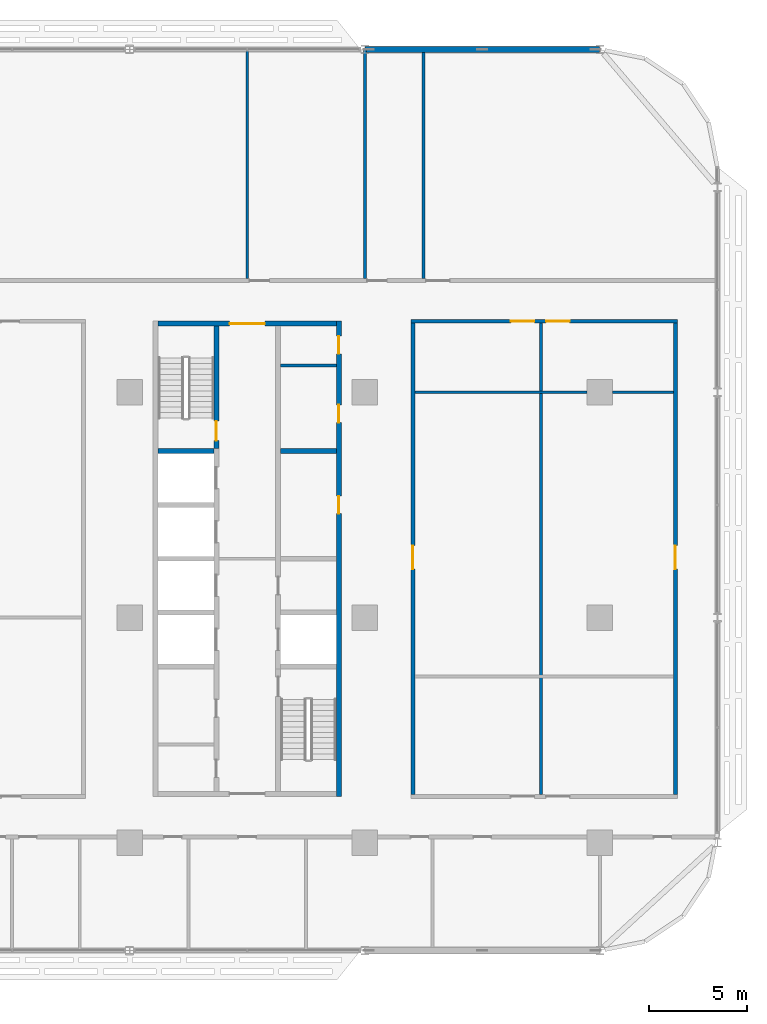
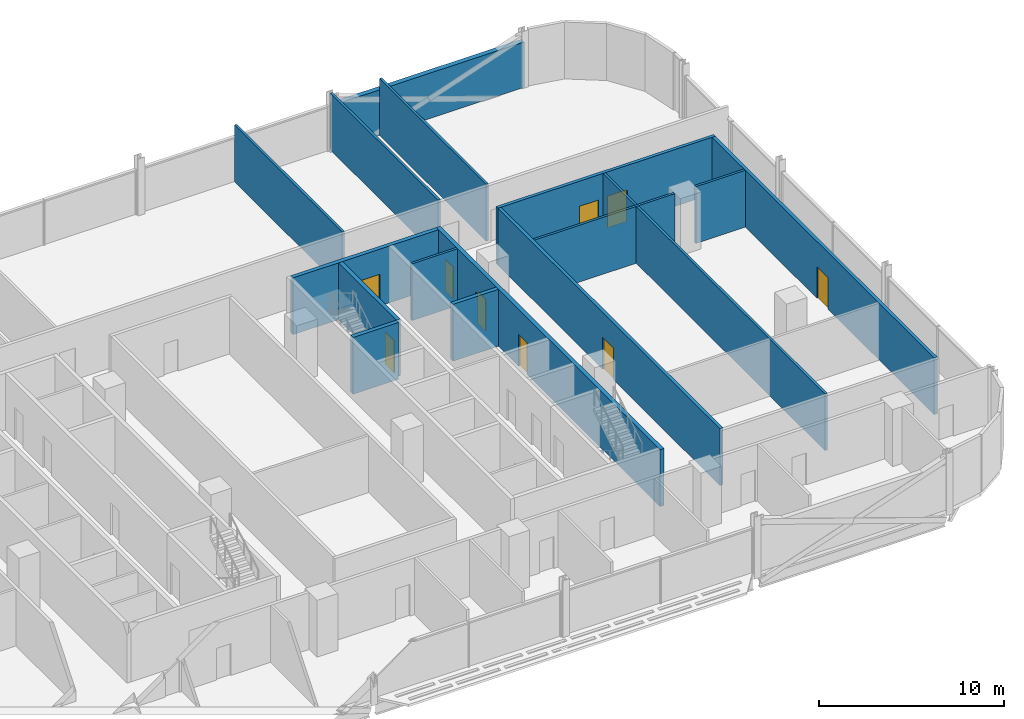
# One storey, part 18 of 29: 16 walls, 9 doors, 9 openings.
"""IFC4 building model written with IfcOpenShell, lengths in metres."""

from ifc_helpers import new_model, si_unit, direction, frame, frame_2d, origin, place, context, subcontext, project, spatial, rectangle, extrude, material, layer, layer_set, type_object, element, fill, save


model = new_model("IFC4")

# Units and contexts
model_context = context("Model", 3, precision=1e-05, world=origin(), true_north=direction((0.0, 1.0)))
body_context = subcontext(model_context, "Body", "Model", "MODEL_VIEW")
ifc_project = project(units=[si_unit("LENGTHUNIT", "METRE"), si_unit("AREAUNIT", "SQUARE_METRE"), si_unit("VOLUMEUNIT", "CUBIC_METRE"), si_unit("PLANEANGLEUNIT", "RADIAN"), si_unit("MASSUNIT", "GRAM", prefix="KILO")], contexts=[model_context])

# Site, building, storey
site_placement = place(None, origin())
site = spatial("IfcSite", under=ifc_project, at=site_placement, CompositionType="ELEMENT")
building_placement = place(site_placement, origin())
building = spatial("IfcBuilding", under=site, at=building_placement, Name="Mahtab Terrace Research Tower", CompositionType="ELEMENT")
storey_placement = place(building_placement, frame((0.0, 0.0, 146.60009765625)))
storey = spatial("IfcBuildingStorey", under=building, at=storey_placement, Name="L34", CompositionType="ELEMENT", Elevation=146.60009765625)

# Wall
ifc_material_1 = material(Name="Gypsum board partition")
ifc_layer_1 = layer(ifc_material_1, 0.14990234375)
ifc_layer_set_1 = layer_set([ifc_layer_1], Name="Core partition 150")
wall_type_1 = type_object("IfcWallType", Name="Core partition 150", PredefinedType="PARTITIONING", material=ifc_layer_set_1)
wall_1_placement = place(storey_placement, frame((25.699951171875, 12.875, 0.0), z_axis=(0.0, 0.0, 1.0), x_axis=(1.0, 0.0, 0.0)))
element("IfcWall", 1, at=wall_1_placement, inside=storey, type_object=wall_type_1, Name="Core wall C pEN988", PredefinedType="PARTITIONING", context=body_context, shape_type="SweptSolid", body=[
    extrude(rectangle(XDim=2.85009765625, YDim=0.14990234375, at=frame_2d((1.425048828125, 0.0))), origin(), (0.0, 0.0, 1.0), 3.760009765625),
])

# Wall, openings, doors
ifc_material_2 = material(Name="Concrete C70/85", Category="concrete")
ifc_layer_2 = layer(ifc_material_2, 0.25)
ifc_layer_set_2 = layer_set([ifc_layer_2], Name="Core wall 250")
wall_type_2 = type_object("IfcWallType", Name="Core wall 250", PredefinedType="SOLIDWALL", material=ifc_layer_set_2)
wall_2_placement = place(storey_placement, frame((28.675048828125, -9.125, 0.0), z_axis=(0.0, 0.0, 1.0), x_axis=(0.0, 1.0, 0.0)))
wall_2 = element("IfcWall", 2, at=wall_2_placement, inside=storey, type_object=wall_type_2, Name="Core wall C outerE", PredefinedType="SOLIDWALL", context=body_context, shape_type="SweptSolid", body=[
    extrude(rectangle(XDim=24.25, YDim=0.25, at=frame_2d((12.125, 0.0))), origin(), (0.0, 0.0, 1.0), 3.760009765625),
])
opening_1_placement = place(wall_2_placement, frame((14.425048828125, 0.0, 0.0)))
opening_1 = element("IfcOpeningElement", 3, at=opening_1_placement, cuts=wall_2, Name="Opening C-R2", PredefinedType="OPENING", context=body_context, shape_type="SweptSolid", body=[
    extrude(rectangle(XDim=0.89990234375, YDim=2.10009765625, at=frame_2d((0.449951171875, 1.050048828125))), frame((0.0, 0.135009765625, 0.0), z_axis=(0.0, -1.0, 0.0), x_axis=(1.0, 0.0, 0.0)), (0.0, 0.0, 1.0), 0.27001953125),
])
opening_2_placement = place(wall_2_placement, frame((19.074951171875, 0.0, 0.0)))
opening_2 = element("IfcOpeningElement", 4, at=opening_2_placement, cuts=wall_2, Name="Opening C-R5", PredefinedType="OPENING", context=body_context, shape_type="SweptSolid", body=[
    extrude(rectangle(XDim=0.89990234375, YDim=2.10009765625, at=frame_2d((0.449951171875, 1.050048828125))), frame((0.0, 0.135009765625, 0.0), z_axis=(0.0, -1.0, 0.0), x_axis=(1.0, 0.0, 0.0)), (0.0, 0.0, 1.0), 0.27001953125),
])
opening_3_placement = place(wall_2_placement, frame((22.58740234375, 0.0, 0.0)))
opening_3 = element("IfcOpeningElement", 5, at=opening_3_placement, cuts=wall_2, Name="Opening C-R6", PredefinedType="OPENING", context=body_context, shape_type="SweptSolid", body=[
    extrude(rectangle(XDim=0.89990234375, YDim=2.10009765625, at=frame_2d((0.449951171875, 1.050048828125))), frame((0.0, 0.135009765625, 0.0), z_axis=(0.0, -1.0, 0.0), x_axis=(1.0, 0.0, 0.0)), (0.0, 0.0, 1.0), 0.27001953125),
])
ifc_material_3 = material(Name="Steel fire door", Category="steel")
door_type_1 = type_object("IfcDoorType", Name="Room door 900x2100 1 HR", OperationType="NOTDEFINED", PredefinedType="DOOR", material=ifc_material_3)
door_1_placement = place(opening_1_placement, origin())
door_1 = element("IfcDoor", 6, at=door_1_placement, inside=storey, type_object=door_type_1, Name="Plant room door", OperationType="SINGLE_SWING_RIGHT", OverallHeight=2.10009765625, OverallWidth=0.89990234375, PredefinedType="DOOR", context=body_context, shape_type="SweptSolid", body=[
    extrude(rectangle(XDim=0.89990234375, YDim=2.10009765625, at=frame_2d((0.449951171875, 1.050048828125))), frame((0.0, 0.02490234375, 0.0), z_axis=(0.0, -1.0, 0.0), x_axis=(1.0, 0.0, 0.0)), (0.0, 0.0, 1.0), 0.050048828125),
])
fill(opening_1, door_1)
door_2_placement = place(opening_2_placement, origin())
door_2 = element("IfcDoor", 7, at=door_2_placement, inside=storey, type_object=door_type_1, Name="IT equipment room door", OperationType="SINGLE_SWING_LEFT", OverallHeight=2.10009765625, OverallWidth=0.89990234375, PredefinedType="DOOR", context=body_context, shape_type="SweptSolid", body=[
    extrude(rectangle(XDim=0.89990234375, YDim=2.10009765625, at=frame_2d((0.449951171875, 1.050048828125))), frame((0.0, 0.02490234375, 0.0), z_axis=(0.0, -1.0, 0.0), x_axis=(1.0, 0.0, 0.0)), (0.0, 0.0, 1.0), 0.050048828125),
])
fill(opening_2, door_2)
door_3_placement = place(opening_3_placement, origin())
door_3 = element("IfcDoor", 8, at=door_3_placement, inside=storey, type_object=door_type_1, Name="Electrical riser room door", OperationType="SINGLE_SWING_RIGHT", OverallHeight=2.10009765625, OverallWidth=0.89990234375, PredefinedType="DOOR", context=body_context, shape_type="SweptSolid", body=[
    extrude(rectangle(XDim=0.89990234375, YDim=2.10009765625, at=frame_2d((0.449951171875, 1.050048828125))), frame((0.0, 0.02490234375, 0.0), z_axis=(0.0, -1.0, 0.0), x_axis=(1.0, 0.0, 0.0)), (0.0, 0.0, 1.0), 0.050048828125),
])
fill(opening_3, door_3)

# Wall, opening, door
wall_3_placement = place(storey_placement, frame((19.449951171875, 15.0, 0.0), z_axis=(0.0, 0.0, 1.0), x_axis=(1.0, 0.0, 0.0)))
wall_3 = element("IfcWall", 9, at=wall_3_placement, inside=storey, type_object=wall_type_2, Name="Core wall C endN", PredefinedType="SOLIDWALL", context=body_context, shape_type="SweptSolid", body=[
    extrude(rectangle(XDim=9.10009765625, YDim=0.25, at=frame_2d((4.550048828125, 0.0))), origin(), (0.0, 0.0, 1.0), 3.760009765625),
])
opening_4_placement = place(wall_3_placement, frame((3.64990234375, 0.0, 0.0)))
opening_4 = element("IfcOpeningElement", 10, at=opening_4_placement, cuts=wall_3, Name="Opening C-N1", PredefinedType="OPENING", context=body_context, shape_type="SweptSolid", body=[
    extrude(rectangle(XDim=1.800048828125, YDim=2.10009765625, at=frame_2d((0.89990234375, 1.050048828125))), frame((0.0, 0.135009765625, 0.0), z_axis=(0.0, -1.0, 0.0), x_axis=(1.0, 0.0, 0.0)), (0.0, 0.0, 1.0), 0.27001953125),
])
door_type_2 = type_object("IfcDoorType", Name="Lobby double door 1800x2100 1 HR", OperationType="DOUBLE_DOOR_SINGLE_SWING", PredefinedType="DOOR", material=ifc_material_3)
door_4_placement = place(opening_4_placement, origin())
door_4 = element("IfcDoor", 11, at=door_4_placement, inside=storey, type_object=door_type_2, Name="Core entrance door C N", OperationType="DOUBLE_DOOR_SINGLE_SWING", OverallHeight=2.10009765625, OverallWidth=1.800048828125, PredefinedType="DOOR", context=body_context, shape_type="SweptSolid", body=[
    extrude(rectangle(XDim=1.800048828125, YDim=2.10009765625, at=frame_2d((0.89990234375, 1.050048828125))), frame((0.0, 0.02490234375, 0.0), z_axis=(0.0, -1.0, 0.0), x_axis=(1.0, 0.0, 0.0)), (0.0, 0.0, 1.0), 0.050048828125),
])
fill(opening_4, door_4)

wall_4_placement = place(storey_placement, frame((22.425048828125, 14.875, 0.0), z_axis=(0.0, 0.0, 1.0), x_axis=(0.0, -1.0, 0.0)))
wall_4 = element("IfcWall", 12, at=wall_4_placement, inside=storey, type_object=wall_type_2, Name="Core wall C innerWN", PredefinedType="SOLIDWALL", context=body_context, shape_type="SweptSolid", body=[
    extrude(rectangle(XDim=6.25, YDim=0.25, at=frame_2d((3.125, 0.0))), origin(), (0.0, 0.0, 1.0), 3.760009765625),
])
opening_5_placement = place(wall_4_placement, frame((4.85009765625, 0.0, 0.0)))
opening_5 = element("IfcOpeningElement", 13, at=opening_5_placement, cuts=wall_4, Name="Opening C-ST3", PredefinedType="OPENING", context=body_context, shape_type="SweptSolid", body=[
    extrude(rectangle(XDim=1.0, YDim=2.10009765625, at=frame_2d((0.5, 1.050048828125))), frame((0.0, 0.135009765625, 0.0), z_axis=(0.0, -1.0, 0.0), x_axis=(1.0, 0.0, 0.0)), (0.0, 0.0, 1.0), 0.27001953125),
])
door_type_3 = type_object("IfcDoorType", Name="Stair door 1000x2100 1.5 HR", OperationType="NOTDEFINED", PredefinedType="DOOR", material=ifc_material_3)
door_5_placement = place(opening_5_placement, origin())
door_5 = element("IfcDoor", 14, at=door_5_placement, inside=storey, type_object=door_type_3, Name="Stair door ST3 L34", OperationType="SINGLE_SWING_LEFT", OverallHeight=2.10009765625, OverallWidth=1.0, PredefinedType="DOOR", context=body_context, shape_type="SweptSolid", body=[
    extrude(rectangle(XDim=1.0, YDim=2.10009765625, at=frame_2d((0.5, 1.050048828125))), frame((0.0, 0.02490234375, 0.0), z_axis=(0.0, -1.0, 0.0), x_axis=(1.0, 0.0, 0.0)), (0.0, 0.0, 1.0), 0.050048828125),
])
fill(opening_5, door_5)

# Walls
for number, where, z_axis, x_axis, name in (
    (15, (19.449951171875, 8.5, 0.0), (0.0, 0.0, 1.0), (1.0, 0.0, 0.0), "Core wall C divW4"),
    (16, (25.699951171875, 8.5, 0.0), (0.0, 0.0, 1.0), (1.0, 0.0, 0.0), "Core wall C divE4"),
):
    element("IfcWall", number, at=place(storey_placement, frame(where, z_axis=z_axis, x_axis=x_axis)), inside=storey, type_object=wall_type_2, Name=name, PredefinedType="SOLIDWALL", context=body_context, shape_type="SweptSolid", body=[
        extrude(rectangle(XDim=2.85009765625, YDim=0.25, at=frame_2d((1.425048828125, 0.0))), origin(), (0.0, 0.0, 1.0), 3.760009765625),
    ])
ifc_material_4 = material(Name="Black aluminium cladding panel", Category="aluminium")
ifc_layer_3 = layer(ifc_material_4, 0.300048828125)
ifc_layer_set_3 = layer_set([ifc_layer_3], Name="Opaque facade wall 300")
wall_type_3 = type_object("IfcWallType", Name="Opaque facade wall 300", PredefinedType="NOTDEFINED", material=ifc_layer_set_3)
wall_5_placement = place(storey_placement, frame((41.982177734375, 29.0, 0.0), z_axis=(0.0, 0.0, 1.0), x_axis=(-1.0, 0.0, 0.0)))
element("IfcWall", 17, at=wall_5_placement, inside=storey, type_object=wall_type_3, Name="Opaque facade wall L34 N3", PredefinedType="NOTDEFINED", context=body_context, shape_type="SweptSolid", body=[
    extrude(rectangle(XDim=11.96435546875, YDim=0.300048828125, at=frame_2d((5.982177734375, 0.0))), origin(), (0.0, 0.0, 1.0), 3.0029296875),
])

# Wall, openings, doors
ifc_material_5 = material(Name="Gypsum board corridor wall on steel studs", Category="steel")
ifc_layer_4 = layer(ifc_material_5, 0.199951171875)
ifc_layer_set_4 = layer_set([ifc_layer_4], Name="WALL CORRIDOR 200")
wall_type_4 = type_object("IfcWallType", Name="WALL CORRIDOR 200", PredefinedType="PARTITIONING", material=ifc_layer_set_4)
wall_6_placement = place(storey_placement, frame((32.35009765625, 15.125, 0.0), z_axis=(0.0, 0.0, 1.0), x_axis=(1.0, 0.0, 0.0)))
wall_6 = element("IfcWall", 18, at=wall_6_placement, inside=storey, type_object=wall_type_4, Name="L34-W025", PredefinedType="PARTITIONING", context=body_context, shape_type="SweptSolid", body=[
    extrude(rectangle(XDim=13.599853515625, YDim=0.199951171875, at=frame_2d((6.7998046875, 0.0))), origin(), (0.0, 0.0, 1.0), 3.760009765625),
])
opening_6_placement = place(wall_6_placement, frame((5.10009765625, 0.0, 0.0)))
opening_6 = element("IfcOpeningElement", 19, at=opening_6_placement, cuts=wall_6, Name="Opening L34-129", PredefinedType="OPENING", context=body_context, shape_type="SweptSolid", body=[
    extrude(rectangle(XDim=1.199951171875, YDim=2.10009765625, at=frame_2d((0.60009765625, 1.050048828125))), frame((0.0, 0.10986328125, 0.0), z_axis=(0.0, -1.0, 0.0), x_axis=(1.0, 0.0, 0.0)), (0.0, 0.0, 1.0), 0.219970703125),
])
opening_7_placement = place(wall_6_placement, frame((6.89990234375, 0.0, 0.0)))
opening_7 = element("IfcOpeningElement", 20, at=opening_7_placement, cuts=wall_6, Name="Opening L34-130", PredefinedType="OPENING", context=body_context, shape_type="SweptSolid", body=[
    extrude(rectangle(XDim=1.199951171875, YDim=2.10009765625, at=frame_2d((0.60009765625, 1.050048828125))), frame((0.0, 0.10986328125, 0.0), z_axis=(0.0, -1.0, 0.0), x_axis=(1.0, 0.0, 0.0)), (0.0, 0.0, 1.0), 0.219970703125),
])
ifc_material_6 = material(Name="Timber door leaf in steel frame", Category="steel")
door_type_4 = type_object("IfcDoorType", Name="DOOR 1200X2100 FD30S", OperationType="SINGLE_SWING_LEFT", PredefinedType="DOOR", material=ifc_material_6)
door_6_placement = place(opening_6_placement, origin())
door_6 = element("IfcDoor", 21, at=door_6_placement, inside=storey, type_object=door_type_4, Name="Door L34-129", OperationType="SINGLE_SWING_RIGHT", OverallHeight=2.10009765625, OverallWidth=1.199951171875, PredefinedType="DOOR", context=body_context, shape_type="SweptSolid", body=[
    extrude(rectangle(XDim=1.199951171875, YDim=2.10009765625, at=frame_2d((0.60009765625, 1.050048828125))), frame((0.0, 0.02490234375, 0.0), z_axis=(0.0, -1.0, 0.0), x_axis=(1.0, 0.0, 0.0)), (0.0, 0.0, 1.0), 0.050048828125),
])
fill(opening_6, door_6)
door_7_placement = place(opening_7_placement, origin())
door_7 = element("IfcDoor", 22, at=door_7_placement, inside=storey, type_object=door_type_4, Name="Door L34-130", OperationType="SINGLE_SWING_LEFT", OverallHeight=2.10009765625, OverallWidth=1.199951171875, PredefinedType="DOOR", context=body_context, shape_type="SweptSolid", body=[
    extrude(rectangle(XDim=1.199951171875, YDim=2.10009765625, at=frame_2d((0.60009765625, 1.050048828125))), frame((0.0, 0.02490234375, 0.0), z_axis=(0.0, -1.0, 0.0), x_axis=(1.0, 0.0, 0.0)), (0.0, 0.0, 1.0), 0.050048828125),
])
fill(opening_7, door_7)

# Wall, opening, door
wall_7_placement = place(storey_placement, frame((32.449951171875, -9.02490234375, 0.0), z_axis=(0.0, 0.0, 1.0), x_axis=(0.0, 1.0, 0.0)))
wall_7 = element("IfcWall", 23, at=wall_7_placement, inside=storey, type_object=wall_type_4, Name="L34-W054", PredefinedType="PARTITIONING", context=body_context, shape_type="SweptSolid", body=[
    extrude(rectangle(XDim=24.0498046875, YDim=0.199951171875, at=frame_2d((12.02490234375, 0.0))), origin(), (0.0, 0.0, 1.0), 3.760009765625),
])
opening_8_placement = place(wall_7_placement, frame((11.5, 0.0, 0.0)))
opening_8 = element("IfcOpeningElement", 24, at=opening_8_placement, cuts=wall_7, Name="Opening L34-123", PredefinedType="OPENING", context=body_context, shape_type="SweptSolid", body=[
    extrude(rectangle(XDim=1.199951171875, YDim=2.10009765625, at=frame_2d((0.60009765625, 1.050048828125))), frame((0.0, 0.10986328125, 0.0), z_axis=(0.0, -1.0, 0.0), x_axis=(1.0, 0.0, 0.0)), (0.0, 0.0, 1.0), 0.219970703125),
])
door_8_placement = place(opening_8_placement, origin())
door_8 = element("IfcDoor", 25, at=door_8_placement, inside=storey, type_object=door_type_4, Name="Door L34-123", OperationType="SINGLE_SWING_LEFT", OverallHeight=2.10009765625, OverallWidth=1.199951171875, PredefinedType="DOOR", context=body_context, shape_type="SweptSolid", body=[
    extrude(rectangle(XDim=1.199951171875, YDim=2.10009765625, at=frame_2d((0.60009765625, 1.050048828125))), frame((0.0, 0.02490234375, 0.0), z_axis=(0.0, -1.0, 0.0), x_axis=(1.0, 0.0, 0.0)), (0.0, 0.0, 1.0), 0.050048828125),
])
fill(opening_8, door_8)

wall_8_placement = place(storey_placement, frame((45.85009765625, -9.02490234375, 0.0), z_axis=(0.0, 0.0, 1.0), x_axis=(0.0, 1.0, 0.0)))
wall_8 = element("IfcWall", 26, at=wall_8_placement, inside=storey, type_object=wall_type_4, Name="L34-W059", PredefinedType="PARTITIONING", context=body_context, shape_type="SweptSolid", body=[
    extrude(rectangle(XDim=24.0498046875, YDim=0.199951171875, at=frame_2d((12.02490234375, 0.0))), origin(), (0.0, 0.0, 1.0), 3.760009765625),
])
opening_9_placement = place(wall_8_placement, frame((11.5, 0.0, 0.0)))
opening_9 = element("IfcOpeningElement", 27, at=opening_9_placement, cuts=wall_8, Name="Opening L34-124", PredefinedType="OPENING", context=body_context, shape_type="SweptSolid", body=[
    extrude(rectangle(XDim=1.199951171875, YDim=2.10009765625, at=frame_2d((0.60009765625, 1.050048828125))), frame((0.0, 0.10986328125, 0.0), z_axis=(0.0, -1.0, 0.0), x_axis=(1.0, 0.0, 0.0)), (0.0, 0.0, 1.0), 0.219970703125),
])
door_9_placement = place(opening_9_placement, origin())
door_9 = element("IfcDoor", 28, at=door_9_placement, inside=storey, type_object=door_type_4, Name="Door L34-124", OperationType="SINGLE_SWING_RIGHT", OverallHeight=2.10009765625, OverallWidth=1.199951171875, PredefinedType="DOOR", context=body_context, shape_type="SweptSolid", body=[
    extrude(rectangle(XDim=1.199951171875, YDim=2.10009765625, at=frame_2d((0.60009765625, 1.050048828125))), frame((0.0, 0.02490234375, 0.0), z_axis=(0.0, -1.0, 0.0), x_axis=(1.0, 0.0, 0.0)), (0.0, 0.0, 1.0), 0.050048828125),
])
fill(opening_9, door_9)

# Walls
ifc_material_7 = material(Name="Gypsum board partition on steel studs", Category="steel")
ifc_layer_5 = layer(ifc_material_7, 0.14990234375)
ifc_layer_set_5 = layer_set([ifc_layer_5], Name="WALL PARTITION 150")
wall_type_5 = type_object("IfcWallType", Name="WALL PARTITION 150", PredefinedType="PARTITIONING", material=ifc_layer_set_5)
wall_9_placement = place(storey_placement, frame((32.550048828125, 11.5, 0.0), z_axis=(0.0, 0.0, 1.0), x_axis=(1.0, 0.0, 0.0)))
element("IfcWall", 29, at=wall_9_placement, inside=storey, type_object=wall_type_5, Name="L34-W020", PredefinedType="PARTITIONING", context=body_context, shape_type="SweptSolid", body=[
    extrude(rectangle(XDim=8.800048828125, YDim=0.14990234375, at=frame_2d((4.39990234375, 0.0))), origin(), (0.0, 0.0, 1.0), 3.760009765625),
])
wall_10_placement = place(storey_placement, frame((42.64990234375, 11.5, 0.0), z_axis=(0.0, 0.0, 1.0), x_axis=(1.0, 0.0, 0.0)))
element("IfcWall", 30, at=wall_10_placement, inside=storey, type_object=wall_type_5, Name="L34-W021", PredefinedType="PARTITIONING", context=body_context, shape_type="SweptSolid", body=[
    extrude(rectangle(XDim=3.10009765625, YDim=0.14990234375, at=frame_2d((1.550048828125, 0.0))), origin(), (0.0, 0.0, 1.0), 3.760009765625),
])
for number, where, z_axis, x_axis, name in (
    (31, (24.0, 17.300048828125, 0.0), (0.0, 0.0, 1.0), (0.0, 1.0, 0.0), "L34-W051"),
    (32, (30.0, 17.300048828125, 0.0), (0.0, 0.0, 1.0), (0.0, 1.0, 0.0), "L34-W053"),
):
    element("IfcWall", number, at=place(storey_placement, frame(where, z_axis=z_axis, x_axis=x_axis)), inside=storey, type_object=wall_type_5, Name=name, PredefinedType="PARTITIONING", context=body_context, shape_type="SweptSolid", body=[
        extrude(rectangle(XDim=11.675048828125, YDim=0.14990234375, at=frame_2d((5.83740234375, 0.0))), origin(), (0.0, 0.0, 1.0), 3.760009765625),
    ])
wall_11_placement = place(storey_placement, frame((33.0, 17.300048828125, 0.0), z_axis=(0.0, 0.0, 1.0), x_axis=(0.0, 1.0, 0.0)))
element("IfcWall", 33, at=wall_11_placement, inside=storey, type_object=wall_type_5, Name="L34-W055", PredefinedType="PARTITIONING", context=body_context, shape_type="SweptSolid", body=[
    extrude(rectangle(XDim=11.550048828125, YDim=0.14990234375, at=frame_2d((5.77490234375, 0.0))), origin(), (0.0, 0.0, 1.0), 3.760009765625),
])
wall_12_placement = place(storey_placement, frame((39.0, -9.02490234375, 0.0), z_axis=(0.0, 0.0, 1.0), x_axis=(0.0, 1.0, 0.0)))
element("IfcWall", 34, at=wall_12_placement, inside=storey, type_object=wall_type_5, Name="L34-W057", PredefinedType="PARTITIONING", context=body_context, shape_type="SweptSolid", body=[
    extrude(rectangle(XDim=24.0498046875, YDim=0.14990234375, at=frame_2d((12.02490234375, 0.0))), origin(), (0.0, 0.0, 1.0), 3.760009765625),
])

save(model, "model.ifc")
